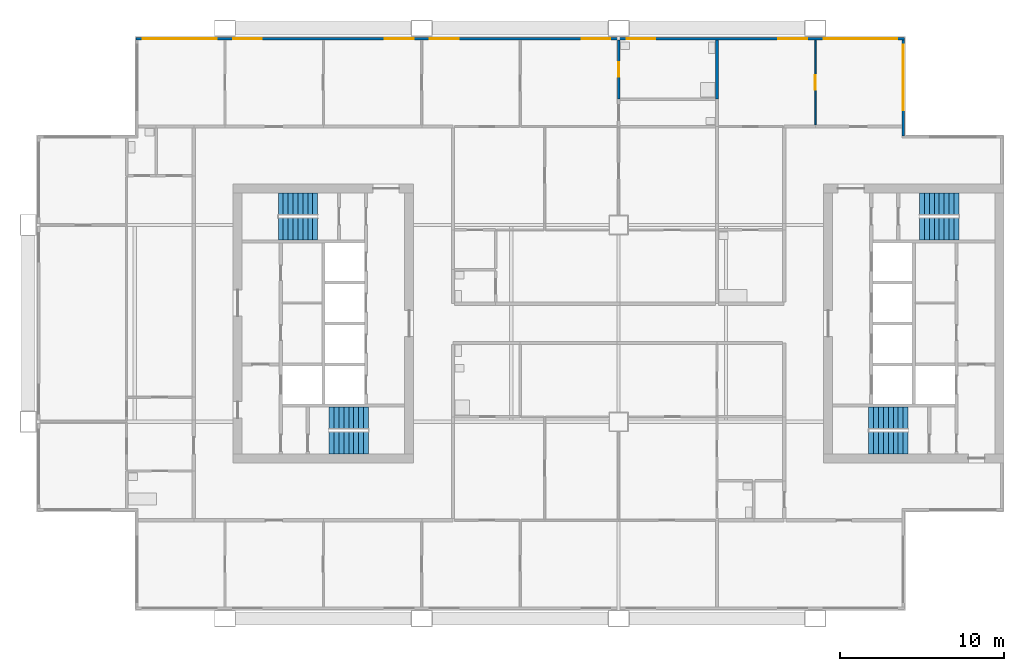
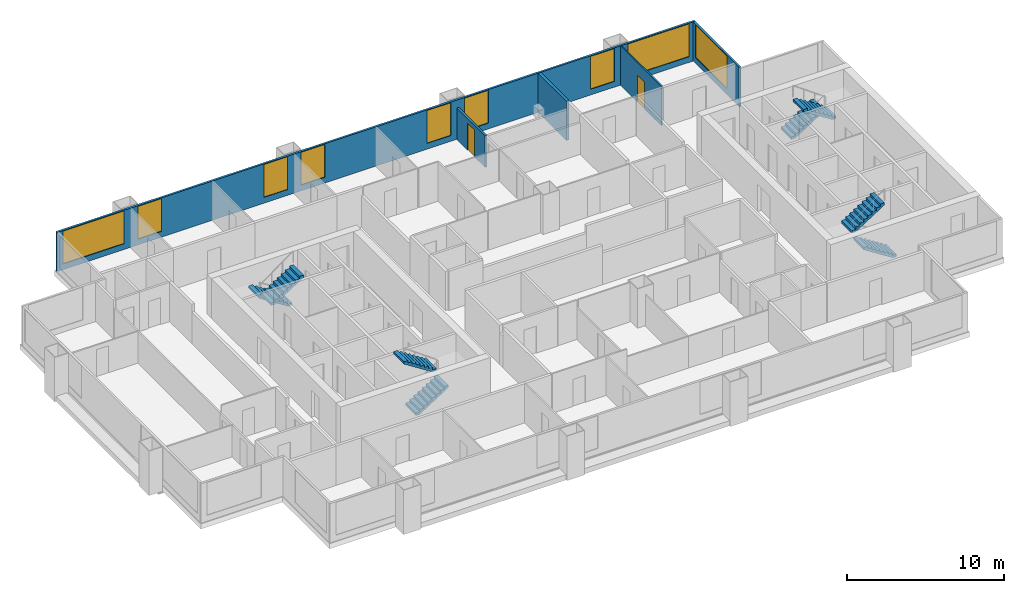
# One storey, part 7 of 9: 9 windows, 8 stair flights, 5 walls, 2 doors, 11 openings, 4 elements without a shape of their own.
"""IFC4 building model written with IfcOpenShell, lengths in metres."""

import ifcopenshell
import ifcopenshell.guid

model = None  # the IFC model being written
_history = None  # IfcOwnerHistory: only IFC2X3 demands one
_inside = {}  # id of a spatial element -> (the spatial element, [elements in it])
_under = {}  # id of a project, library or spatial element -> (it, [spatial elements below it])
_declared = {}  # id of a project -> (the project, [libraries it declares])
_typed = {}  # id of a type object -> (the type object, [elements of that type])
_made_of = {}  # id of a material, layer set ... -> (it, [elements and type objects made of it])


def new_model(schema):
    """Start an empty IFC model of exactly this schema.

    Asked for "IFC4X3", IfcOpenShell would pick the latest addendum, in which some entities
    have other attributes; the version numbers below select the first issue.
    IFC2X3 requires an IfcOwnerHistory on every rooted entity: one is made here for all.
    """
    global model, _history
    if schema == "IFC4X3":
        model = ifcopenshell.file(schema_version=(4, 3, 0, 0))
    else:
        model = ifcopenshell.file(schema=schema)
    _inside.clear()
    _under.clear()
    _declared.clear()
    _typed.clear()
    _made_of.clear()
    _history = None
    if model.schema == "IFC2X3":
        org = make("IfcOrganization", Name="unknown")
        user = make(
            "IfcPersonAndOrganization",
            ThePerson=make("IfcPerson", FamilyName="unknown"),
            TheOrganization=org,
        )
        app = make(
            "IfcApplication",
            ApplicationDeveloper=org,
            Version="unknown",
            ApplicationFullName="unknown",
            ApplicationIdentifier="unknown",
        )
        _history = make(
            "IfcOwnerHistory",
            OwningUser=user,
            OwningApplication=app,
            ChangeAction="ADDED",
            CreationDate=0,
        )
    return model


def make(cls, **values):
    """One entity of the class cls with the attributes given. An attribute that is None is left unset."""
    return model.create_entity(
        cls, **{name: value for name, value in values.items() if value is not None}
    )


def rooted(cls, **values):
    """An entity with a GlobalId (a new one), such as an element, a storey or a relation."""
    return make(cls, GlobalId=ifcopenshell.guid.new(), OwnerHistory=_history, **values)


def si_unit(unit_type, name, prefix=None):
    """IfcSIUnit, for example si_unit("LENGTHUNIT", "METRE", prefix="MILLI")."""
    return make("IfcSIUnit", UnitType=unit_type, Prefix=prefix, Name=name)


def assignment(units):
    """IfcUnitAssignment: the units of a project."""
    return None if units is None else make("IfcUnitAssignment", Units=units)


def point(xyz):
    """IfcCartesianPoint."""
    return None if xyz is None else make("IfcCartesianPoint", Coordinates=xyz)


def direction(xyz):
    """IfcDirection."""
    return None if xyz is None else make("IfcDirection", DirectionRatios=xyz)


def frame(location, z_axis=None, x_axis=None):
    """IfcAxis2Placement3D, a coordinate frame: its origin and axes. An axis left out is left unset."""
    return make(
        "IfcAxis2Placement3D",
        Location=point(location),
        Axis=direction(z_axis),
        RefDirection=direction(x_axis),
    )


def frame_2d(location, x_axis=None):
    """IfcAxis2Placement2D, a coordinate frame in the plane: its origin and x axis."""
    return make(
        "IfcAxis2Placement2D", Location=point(location), RefDirection=direction(x_axis)
    )


def origin():
    """The frame at (0, 0, 0) with its axes left unset."""
    return frame((0.0, 0.0, 0.0))


def place(relative_to, where):
    """IfcLocalPlacement: puts the frame where relative to a parent placement (None: the world)."""
    return make(
        "IfcLocalPlacement", PlacementRelTo=relative_to, RelativePlacement=where
    )


def context(
    kind, dimensions, precision=None, world=None, true_north=None, identifier=None
):
    """IfcGeometricRepresentationContext, for example the 3D "Model" context."""
    return make(
        "IfcGeometricRepresentationContext",
        ContextIdentifier=identifier,
        ContextType=kind,
        CoordinateSpaceDimension=dimensions,
        Precision=precision,
        WorldCoordinateSystem=world,
        TrueNorth=true_north,
    )


def subcontext(parent, identifier, kind, view, scale=None):
    """IfcGeometricRepresentationSubContext, for example "Body" below "Model"."""
    return make(
        "IfcGeometricRepresentationSubContext",
        ContextIdentifier=identifier,
        ContextType=kind,
        ParentContext=parent,
        TargetScale=scale,
        TargetView=view,
    )


def project(units=None, contexts=None):
    """IfcProject with its units and contexts."""
    return rooted(
        "IfcProject",
        Name="project",
        RepresentationContexts=contexts,
        UnitsInContext=assignment(units),
    )


def spatial(cls, under=None, at=None, **own):
    """A site, building, storey or space (cls), placed at a placement, below another one or the project."""
    s = rooted(cls, ObjectPlacement=at, **own)
    if under is not None:
        _under.setdefault(under.id(), (under, []))[1].append(s)
    return s


def polyline(points):
    """IfcPolyline through the points."""
    return make("IfcPolyline", Points=[point(p) for p in points])


def profile(cls, at=None, kind="AREA", **sizes):
    """A parametric profile (cls). Its sizes go by their IFC names, for example OverallWidth=200.0."""
    return make(cls, ProfileType=kind, Position=at, **sizes)


def rectangle(**sizes):
    """IfcRectangleProfileDef."""
    return profile("IfcRectangleProfileDef", **sizes)


def outline(outer, holes=None, kind="AREA"):
    """IfcArbitraryClosedProfileDef: a profile drawn as a closed curve; with holes, ...WithVoids."""
    if holes is None:
        return make("IfcArbitraryClosedProfileDef", ProfileType=kind, OuterCurve=outer)
    return make(
        "IfcArbitraryProfileDefWithVoids",
        ProfileType=kind,
        OuterCurve=outer,
        InnerCurves=holes,
    )


def extrude(swept, where, along, depth):
    """IfcExtrudedAreaSolid: the profile swept, set in the frame where, extruded along a direction by depth."""
    return make(
        "IfcExtrudedAreaSolid",
        SweptArea=swept,
        Position=where,
        ExtrudedDirection=direction(along),
        Depth=depth,
    )


def shape(context_of_items, identifier, shape_type, items):
    """IfcShapeRepresentation: the items that make up one representation, for example the "Body"."""
    return make(
        "IfcShapeRepresentation",
        ContextOfItems=context_of_items,
        RepresentationIdentifier=identifier,
        RepresentationType=shape_type,
        Items=items,
    )


def material(Name=None, Category=None):
    """IfcMaterial."""
    return make("IfcMaterial", Name=Name, Category=Category)


def layer(
    of_material, thickness, ventilated=None, Name=None, Category=None, Priority=None
):
    """IfcMaterialLayer: one layer of a wall or slab, of a material (None: an air gap)."""
    return make(
        "IfcMaterialLayer",
        Material=of_material,
        LayerThickness=thickness,
        IsVentilated=ventilated,
        Name=Name,
        Category=Category,
        Priority=Priority,
    )


def layer_set(layers, Name=None):
    """IfcMaterialLayerSet."""
    return make("IfcMaterialLayerSet", MaterialLayers=layers, LayerSetName=Name)


def made_of(thing, what):
    """Note that an element or type object is made of a material, layer set ...; save() writes the relation."""
    if what is not None:
        _made_of.setdefault(what.id(), (what, []))[1].append(thing)
    return thing


def type_object(cls, material=None, **own):
    """A type object (cls), such as IfcWallType, which elements share."""
    return made_of(rooted(cls, **own), material)


def element(
    cls,
    number,
    at=None,
    inside=None,
    cuts=None,
    type_object=None,
    material=None,
    context=None,
    identifier="Body",
    shape_type=None,
    held_by="IfcProductDefinitionShape",
    body=None,
    shapes=None,
    **own,
):
    """One element of the class cls, such as IfcWall. Its Tag is "e" and its number.

    at: its placement. inside: the storey or other place that contains it. cuts: it is an
    opening in that element (IfcRelVoidsElement). A single representation is given by context,
    identifier, shape_type and body (its items); several are given by shapes. held_by: the class
    of the entity that holds the representations. save() writes the other relations.
    """
    e = rooted(cls, Tag="e%d" % number, ObjectPlacement=at, **own)
    if body is not None:
        shapes = [shape(context, identifier, shape_type, body)]
    if shapes is not None:
        e.Representation = make(held_by, Representations=shapes)
    if inside is not None:
        _inside.setdefault(inside.id(), (inside, []))[1].append(e)
    if cuts is not None:
        rooted(
            "IfcRelVoidsElement", RelatingBuildingElement=cuts, RelatedOpeningElement=e
        )
    if type_object is not None:
        _typed.setdefault(type_object.id(), (type_object, []))[1].append(e)
    return made_of(e, material)


def fill(opening, filler):
    """IfcRelFillsElement: the door or window that sits in an opening."""
    return rooted(
        "IfcRelFillsElement",
        RelatingOpeningElement=opening,
        RelatedBuildingElement=filler,
    )


def aggregate(whole, parts):
    """IfcRelAggregates: a whole, such as a stair, and the parts it consists of."""
    return rooted("IfcRelAggregates", RelatingObject=whole, RelatedObjects=parts)


def save(model, path):
    """Write the relations noted so far, then the file.

    IfcRelAggregates (storeys below a building ...), IfcRelContainedInSpatialStructure (elements
    in a storey), IfcRelDefinesByType, IfcRelAssociatesMaterial and IfcRelDeclares: one each for
    every whole, place, type object, material and project.
    """
    for whole, parts in _under.values():
        aggregate(whole, parts)
    for where, things in _inside.values():
        rooted(
            "IfcRelContainedInSpatialStructure",
            RelatedElements=things,
            RelatingStructure=where,
        )
    for kind, things in _typed.values():
        rooted("IfcRelDefinesByType", RelatedObjects=things, RelatingType=kind)
    for what, things in _made_of.values():
        rooted("IfcRelAssociatesMaterial", RelatedObjects=things, RelatingMaterial=what)
    for by, libraries in _declared.values():
        rooted("IfcRelDeclares", RelatingContext=by, RelatedDefinitions=libraries)
    model.write(path)


model = new_model("IFC4")

# Units and contexts
model_context = context("Model", 3, precision=1e-05, world=origin(), true_north=direction((0.0, 1.0)))
body_context = subcontext(model_context, "Body", "Model", "MODEL_VIEW")
ifc_project = project(units=[si_unit("LENGTHUNIT", "METRE"), si_unit("AREAUNIT", "SQUARE_METRE"), si_unit("VOLUMEUNIT", "CUBIC_METRE"), si_unit("PLANEANGLEUNIT", "RADIAN"), si_unit("MASSUNIT", "GRAM", prefix="KILO")], contexts=[model_context])

# Site, building, storey
site_placement = place(None, origin())
site = spatial("IfcSite", under=ifc_project, at=site_placement, CompositionType="ELEMENT")
building_placement = place(site_placement, origin())
building = spatial("IfcBuilding", under=site, at=building_placement, Name="Kitamizu Gate Tower and Museum", CompositionType="ELEMENT")
storey_placement = place(building_placement, frame((0.0, 0.0, 178.949951171875)))
storey = spatial("IfcBuildingStorey", under=building, at=storey_placement, Name="L47", CompositionType="ELEMENT", Elevation=178.949951171875)

# Wall, opening, door
ifc_material_1 = material(Name="Gypsum board on galvanised stud")
ifc_layer_1 = layer(ifc_material_1, 0.10009765625)
ifc_layer_set_1 = layer_set([ifc_layer_1], Name="Gypsum board on galvanised stud")
wall_type_1 = type_object("IfcWallType", Name="Partition 100 NOT RATED", PredefinedType="PARTITIONING", material=ifc_layer_set_1)
wall_1_placement = place(storey_placement, frame((48.0, 42.10009765625, 0.0), z_axis=(0.0, 0.0, 1.0), x_axis=(0.0, 1.0, 0.0)))
wall_1 = element("IfcWall", 1, at=wall_1_placement, inside=storey, type_object=wall_type_1, Name="Partition L47-098", PredefinedType="PARTITIONING", context=body_context, shape_type="SweptSolid", body=[
    extrude(rectangle(XDim=5.179931640625, YDim=0.10009765625, at=frame_2d((2.58984375, 0.0))), origin(), (0.0, 0.0, 1.0), 3.050048828125),
])
opening_1_placement = place(wall_1_placement, frame((2.139892578125, 0.0, 0.0)))
opening_1 = element("IfcOpeningElement", 2, at=opening_1_placement, cuts=wall_1, Name="Opening L47-037", PredefinedType="OPENING", context=body_context, shape_type="SweptSolid", body=[
    extrude(rectangle(XDim=0.89990234375, YDim=2.10009765625, at=frame_2d((0.449951171875, 1.050048828125))), frame((0.0, 0.06005859375, 0.0), z_axis=(0.0, -1.0, 0.0), x_axis=(1.0, 0.0, 0.0)), (0.0, 0.0, 1.0), 0.1201171875),
])
ifc_material_2 = material(Name="Timber door set", Category="wood")
door_type_1 = type_object("IfcDoorType", Name="Room door 900", OperationType="NOTDEFINED", PredefinedType="DOOR", material=ifc_material_2)
door_1_placement = place(opening_1_placement, origin())
door_1 = element("IfcDoor", 3, at=door_1_placement, inside=storey, type_object=door_type_1, Name="Door L47-037", OperationType="SINGLE_SWING_LEFT", OverallHeight=2.10009765625, OverallWidth=0.89990234375, PredefinedType="DOOR", context=body_context, shape_type="SweptSolid", body=[
    extrude(rectangle(XDim=0.89990234375, YDim=2.10009765625, at=frame_2d((0.449951171875, 1.050048828125))), frame((0.0, 0.02490234375, 0.0), z_axis=(0.0, -1.0, 0.0), x_axis=(1.0, 0.0, 0.0)), (0.0, 0.0, 1.0), 0.050048828125),
])
fill(opening_1, door_1)

ifc_material_3 = material(Name="Gypsum board on galvanised stud")
ifc_layer_2 = layer(ifc_material_3, 0.14990234375)
ifc_layer_set_2 = layer_set([ifc_layer_2], Name="Gypsum board on galvanised stud")
wall_type_2 = type_object("IfcWallType", Name="Partition 150", PredefinedType="PARTITIONING", material=ifc_layer_set_2)
wall_2_placement = place(storey_placement, frame((36.0, 43.679931640625, 0.0), z_axis=(0.0, 0.0, 1.0), x_axis=(0.0, 1.0, 0.0)))
wall_2 = element("IfcWall", 4, at=wall_2_placement, inside=storey, type_object=wall_type_2, Name="Partition L47-052", PredefinedType="PARTITIONING", context=body_context, shape_type="SweptSolid", body=[
    extrude(rectangle(XDim=3.60009765625, YDim=0.14990234375, at=frame_2d((1.800048828125, 0.0))), origin(), (0.0, 0.0, 1.0), 2.449951171875),
])
opening_2_placement = place(wall_2_placement, frame((1.35009765625, 0.0, 0.0)))
opening_2 = element("IfcOpeningElement", 5, at=opening_2_placement, cuts=wall_2, Name="Opening L47-020", PredefinedType="OPENING", context=body_context, shape_type="SweptSolid", body=[
    extrude(rectangle(XDim=0.89990234375, YDim=2.10009765625, at=frame_2d((0.449951171875, 1.050048828125))), frame((0.0, 0.0849609375, 0.0), z_axis=(0.0, -1.0, 0.0), x_axis=(1.0, 0.0, 0.0)), (0.0, 0.0, 1.0), 0.169921875),
])
ifc_material_4 = material(Name="Timber door set", Category="wood")
door_type_2 = type_object("IfcDoorType", Name="Bathroom door 900", OperationType="NOTDEFINED", PredefinedType="DOOR", material=ifc_material_4)
door_2_placement = place(opening_2_placement, frame((0.89990234375, 0.0, 0.0), x_axis=(-1.0, 0.0, 0.0)))
door_2 = element("IfcDoor", 6, at=door_2_placement, inside=storey, type_object=door_type_2, Name="Bathroom door L47-020", OperationType="SINGLE_SWING_RIGHT", OverallHeight=2.10009765625, OverallWidth=0.89990234375, PredefinedType="DOOR", context=body_context, shape_type="SweptSolid", body=[
    extrude(rectangle(XDim=0.89990234375, YDim=2.10009765625, at=frame_2d((0.449951171875, 1.050048828125))), frame((0.0, 0.02490234375, 0.0), z_axis=(0.0, -1.0, 0.0), x_axis=(1.0, 0.0, 0.0)), (0.0, 0.0, 1.0), 0.050048828125),
])
fill(opening_2, door_2)

# Wall
ifc_material_5 = material(Name="Gypsum board on galvanised stud")
ifc_layer_3 = layer(ifc_material_5, 0.199951171875)
ifc_layer_set_3 = layer_set([ifc_layer_3], Name="Gypsum board on galvanised stud")
wall_type_3 = type_object("IfcWallType", Name="Partition 200", PredefinedType="PARTITIONING", material=ifc_layer_set_3)
wall_3_placement = place(storey_placement, frame((42.0, 43.679931640625, 0.0), z_axis=(0.0, 0.0, 1.0), x_axis=(0.0, 1.0, 0.0)))
element("IfcWall", 7, at=wall_3_placement, inside=storey, type_object=wall_type_3, Name="Partition L47-057", PredefinedType="PARTITIONING", context=body_context, shape_type="SweptSolid", body=[
    extrude(rectangle(XDim=3.60009765625, YDim=0.199951171875, at=frame_2d((1.800048828125, 0.0))), origin(), (0.0, 0.0, 1.0), 3.050048828125),
])

# Wall, opening, window
ifc_material_6 = material(Name="Bronze anodised aluminium frame with insulated spandrel and tinted glass", Category="aluminium")
ifc_layer_4 = layer(ifc_material_6, 0.14990234375)
ifc_layer_set_4 = layer_set([ifc_layer_4], Name="Bronze anodised aluminium frame with insulated spandrel and tinted glass")
wall_type_4 = type_object("IfcWallType", Name="WINDOW WALL 150 BRONZE FRAME EI 30", PredefinedType="ELEMENTEDWALL", material=ifc_layer_set_4)
wall_4_placement = place(storey_placement, frame((53.364990234375, 41.43994140625, 0.0), z_axis=(0.0, 0.0, 1.0), x_axis=(0.0, 1.0, 0.0)))
wall_4 = element("IfcWall", 8, at=wall_4_placement, inside=storey, type_object=wall_type_4, Name="Window wall east L47", PredefinedType="ELEMENTEDWALL", context=body_context, shape_type="SweptSolid", body=[
    extrude(rectangle(XDim=5.85009765625, YDim=0.14990234375, at=frame_2d((2.925048828125, 0.0))), origin(), (0.0, 0.0, 1.0), 3.050048828125),
])
opening_3_placement = place(wall_4_placement, frame((1.56005859375, 0.0, 0.449951171875)))
opening_3 = element("IfcOpeningElement", 9, at=opening_3_placement, cuts=wall_4, Name="Opening W16", PredefinedType="OPENING", context=body_context, shape_type="SweptSolid", body=[
    extrude(rectangle(XDim=4.0, YDim=2.550048828125, at=frame_2d((2.0, 1.27490234375))), frame((0.0, 0.0849609375, 0.0), z_axis=(0.0, -1.0, 0.0), x_axis=(1.0, 0.0, 0.0)), (0.0, 0.0, 1.0), 0.169921875),
])
ifc_material_7 = material(Name="Bronze anodised aluminium frame, tinted triple glazing", Category="aluminium")
window_type_1 = type_object("IfcWindowType", Name="WINDOW 4000 x 2550 SILL 450", PartitioningType="SINGLE_PANEL", PredefinedType="WINDOW", material=ifc_material_7)
window_1_placement = place(opening_3_placement, origin())
window_1 = element("IfcWindow", 10, at=window_1_placement, inside=storey, type_object=window_type_1, Name="Window W16 L47", OverallHeight=2.550048828125, OverallWidth=4.0, PartitioningType="SINGLE_PANEL", PredefinedType="WINDOW", context=body_context, shape_type="SweptSolid", body=[
    extrude(rectangle(XDim=4.0, YDim=2.550048828125, at=frame_2d((2.0, 1.27490234375))), frame((0.0, 0.030029296875, 0.0), z_axis=(0.0, -1.0, 0.0), x_axis=(1.0, 0.0, 0.0)), (0.0, 0.0, 1.0), 0.06005859375),
])
fill(opening_3, window_1)

# Wall, openings, windows
wall_5_placement = place(storey_placement, frame((6.56005859375, 47.364990234375, 0.0), z_axis=(0.0, 0.0, 1.0), x_axis=(1.0, 0.0, 0.0)))
wall_5 = element("IfcWall", 11, at=wall_5_placement, inside=storey, type_object=wall_type_4, Name="Window wall north L47", PredefinedType="ELEMENTEDWALL", context=body_context, shape_type="SweptSolid", body=[
    extrude(rectangle(XDim=46.8798828125, YDim=0.14990234375, at=frame_2d((23.43994140625, 0.0))), origin(), (0.0, 0.0, 1.0), 3.050048828125),
])
opening_4_placement = place(wall_5_placement, frame((0.43994140625, 0.0, 0.449951171875)))
opening_4 = element("IfcOpeningElement", 12, at=opening_4_placement, cuts=wall_5, Name="Opening W15", PredefinedType="OPENING", context=body_context, shape_type="SweptSolid", body=[
    extrude(rectangle(XDim=4.5, YDim=2.550048828125, at=frame_2d((2.25, 1.27490234375))), frame((0.0, 0.0849609375, 0.0), z_axis=(0.0, -1.0, 0.0), x_axis=(1.0, 0.0, 0.0)), (0.0, 0.0, 1.0), 0.169921875),
])
opening_5_placement = place(wall_5_placement, frame((5.93994140625, 0.0, 0.449951171875)))
opening_5 = element("IfcOpeningElement", 13, at=opening_5_placement, cuts=wall_5, Name="Opening W29", PredefinedType="OPENING", context=body_context, shape_type="SweptSolid", body=[
    extrude(rectangle(XDim=1.75, YDim=2.550048828125, at=frame_2d((0.875, 1.27490234375))), frame((0.0, 0.0849609375, 0.0), z_axis=(0.0, -1.0, 0.0), x_axis=(1.0, 0.0, 0.0)), (0.0, 0.0, 1.0), 0.169921875),
])
opening_6_placement = place(wall_5_placement, frame((15.18994140625, 0.0, 0.449951171875)))
opening_6 = element("IfcOpeningElement", 14, at=opening_6_placement, cuts=wall_5, Name="Opening W29", PredefinedType="OPENING", context=body_context, shape_type="SweptSolid", body=[
    extrude(rectangle(XDim=1.75, YDim=2.550048828125, at=frame_2d((0.875, 1.27490234375))), frame((0.0, 0.0849609375, 0.0), z_axis=(0.0, -1.0, 0.0), x_axis=(1.0, 0.0, 0.0)), (0.0, 0.0, 1.0), 0.169921875),
])
opening_7_placement = place(wall_5_placement, frame((17.93994140625, 0.0, 0.449951171875)))
opening_7 = element("IfcOpeningElement", 15, at=opening_7_placement, cuts=wall_5, Name="Opening W29", PredefinedType="OPENING", context=body_context, shape_type="SweptSolid", body=[
    extrude(rectangle(XDim=1.75, YDim=2.550048828125, at=frame_2d((0.875, 1.27490234375))), frame((0.0, 0.0849609375, 0.0), z_axis=(0.0, -1.0, 0.0), x_axis=(1.0, 0.0, 0.0)), (0.0, 0.0, 1.0), 0.169921875),
])
opening_8_placement = place(wall_5_placement, frame((27.18994140625, 0.0, 0.449951171875)))
opening_8 = element("IfcOpeningElement", 16, at=opening_8_placement, cuts=wall_5, Name="Opening W29", PredefinedType="OPENING", context=body_context, shape_type="SweptSolid", body=[
    extrude(rectangle(XDim=1.75, YDim=2.550048828125, at=frame_2d((0.875, 1.27490234375))), frame((0.0, 0.0849609375, 0.0), z_axis=(0.0, -1.0, 0.0), x_axis=(1.0, 0.0, 0.0)), (0.0, 0.0, 1.0), 0.169921875),
])
opening_9_placement = place(wall_5_placement, frame((29.93994140625, 0.0, 0.449951171875)))
opening_9 = element("IfcOpeningElement", 17, at=opening_9_placement, cuts=wall_5, Name="Opening W29", PredefinedType="OPENING", context=body_context, shape_type="SweptSolid", body=[
    extrude(rectangle(XDim=1.75, YDim=2.550048828125, at=frame_2d((0.875, 1.27490234375))), frame((0.0, 0.0849609375, 0.0), z_axis=(0.0, -1.0, 0.0), x_axis=(1.0, 0.0, 0.0)), (0.0, 0.0, 1.0), 0.169921875),
])
opening_10_placement = place(wall_5_placement, frame((39.18994140625, 0.0, 0.449951171875)))
opening_10 = element("IfcOpeningElement", 18, at=opening_10_placement, cuts=wall_5, Name="Opening W29", PredefinedType="OPENING", context=body_context, shape_type="SweptSolid", body=[
    extrude(rectangle(XDim=1.75, YDim=2.550048828125, at=frame_2d((0.875, 1.27490234375))), frame((0.0, 0.0849609375, 0.0), z_axis=(0.0, -1.0, 0.0), x_axis=(1.0, 0.0, 0.0)), (0.0, 0.0, 1.0), 0.169921875),
])
opening_11_placement = place(wall_5_placement, frame((41.93994140625, 0.0, 0.449951171875)))
opening_11 = element("IfcOpeningElement", 19, at=opening_11_placement, cuts=wall_5, Name="Opening W15", PredefinedType="OPENING", context=body_context, shape_type="SweptSolid", body=[
    extrude(rectangle(XDim=4.5, YDim=2.550048828125, at=frame_2d((2.25, 1.27490234375))), frame((0.0, 0.0849609375, 0.0), z_axis=(0.0, -1.0, 0.0), x_axis=(1.0, 0.0, 0.0)), (0.0, 0.0, 1.0), 0.169921875),
])
ifc_material_8 = material(Name="Bronze anodised aluminium frame, tinted triple glazing", Category="aluminium")
window_type_2 = type_object("IfcWindowType", Name="WINDOW 1750 x 2550 SILL 450", PartitioningType="SINGLE_PANEL", PredefinedType="WINDOW", material=ifc_material_8)
window_2_placement = place(opening_5_placement, origin())
window_2 = element("IfcWindow", 20, at=window_2_placement, inside=storey, type_object=window_type_2, Name="Window W29 L47", OverallHeight=2.550048828125, OverallWidth=1.75, PartitioningType="SINGLE_PANEL", PredefinedType="WINDOW", context=body_context, shape_type="SweptSolid", body=[
    extrude(rectangle(XDim=1.75, YDim=2.550048828125, at=frame_2d((0.875, 1.27490234375))), frame((0.0, 0.030029296875, 0.0), z_axis=(0.0, -1.0, 0.0), x_axis=(1.0, 0.0, 0.0)), (0.0, 0.0, 1.0), 0.06005859375),
])
fill(opening_5, window_2)
window_3_placement = place(opening_6_placement, origin())
window_3 = element("IfcWindow", 21, at=window_3_placement, inside=storey, type_object=window_type_2, Name="Window W29 L47", OverallHeight=2.550048828125, OverallWidth=1.75, PartitioningType="SINGLE_PANEL", PredefinedType="WINDOW", context=body_context, shape_type="SweptSolid", body=[
    extrude(rectangle(XDim=1.75, YDim=2.550048828125, at=frame_2d((0.875, 1.27490234375))), frame((0.0, 0.030029296875, 0.0), z_axis=(0.0, -1.0, 0.0), x_axis=(1.0, 0.0, 0.0)), (0.0, 0.0, 1.0), 0.06005859375),
])
fill(opening_6, window_3)
window_4_placement = place(opening_7_placement, origin())
window_4 = element("IfcWindow", 22, at=window_4_placement, inside=storey, type_object=window_type_2, Name="Window W29 L47", OverallHeight=2.550048828125, OverallWidth=1.75, PartitioningType="SINGLE_PANEL", PredefinedType="WINDOW", context=body_context, shape_type="SweptSolid", body=[
    extrude(rectangle(XDim=1.75, YDim=2.550048828125, at=frame_2d((0.875, 1.27490234375))), frame((0.0, 0.030029296875, 0.0), z_axis=(0.0, -1.0, 0.0), x_axis=(1.0, 0.0, 0.0)), (0.0, 0.0, 1.0), 0.06005859375),
])
fill(opening_7, window_4)
window_5_placement = place(opening_8_placement, origin())
window_5 = element("IfcWindow", 23, at=window_5_placement, inside=storey, type_object=window_type_2, Name="Window W29 L47", OverallHeight=2.550048828125, OverallWidth=1.75, PartitioningType="SINGLE_PANEL", PredefinedType="WINDOW", context=body_context, shape_type="SweptSolid", body=[
    extrude(rectangle(XDim=1.75, YDim=2.550048828125, at=frame_2d((0.875, 1.27490234375))), frame((0.0, 0.030029296875, 0.0), z_axis=(0.0, -1.0, 0.0), x_axis=(1.0, 0.0, 0.0)), (0.0, 0.0, 1.0), 0.06005859375),
])
fill(opening_8, window_5)
window_6_placement = place(opening_9_placement, origin())
window_6 = element("IfcWindow", 24, at=window_6_placement, inside=storey, type_object=window_type_2, Name="Window W29 L47", OverallHeight=2.550048828125, OverallWidth=1.75, PartitioningType="SINGLE_PANEL", PredefinedType="WINDOW", context=body_context, shape_type="SweptSolid", body=[
    extrude(rectangle(XDim=1.75, YDim=2.550048828125, at=frame_2d((0.875, 1.27490234375))), frame((0.0, 0.030029296875, 0.0), z_axis=(0.0, -1.0, 0.0), x_axis=(1.0, 0.0, 0.0)), (0.0, 0.0, 1.0), 0.06005859375),
])
fill(opening_9, window_6)
window_7_placement = place(opening_10_placement, origin())
window_7 = element("IfcWindow", 25, at=window_7_placement, inside=storey, type_object=window_type_2, Name="Window W29 L47", OverallHeight=2.550048828125, OverallWidth=1.75, PartitioningType="SINGLE_PANEL", PredefinedType="WINDOW", context=body_context, shape_type="SweptSolid", body=[
    extrude(rectangle(XDim=1.75, YDim=2.550048828125, at=frame_2d((0.875, 1.27490234375))), frame((0.0, 0.030029296875, 0.0), z_axis=(0.0, -1.0, 0.0), x_axis=(1.0, 0.0, 0.0)), (0.0, 0.0, 1.0), 0.06005859375),
])
fill(opening_10, window_7)
ifc_material_9 = material(Name="Bronze anodised aluminium frame, tinted triple glazing", Category="aluminium")
window_type_3 = type_object("IfcWindowType", Name="WINDOW 4500 x 2550 SILL 450", PartitioningType="SINGLE_PANEL", PredefinedType="WINDOW", material=ifc_material_9)
window_8_placement = place(opening_4_placement, origin())
window_8 = element("IfcWindow", 26, at=window_8_placement, inside=storey, type_object=window_type_3, Name="Window W15 L47", OverallHeight=2.550048828125, OverallWidth=4.5, PartitioningType="SINGLE_PANEL", PredefinedType="WINDOW", context=body_context, shape_type="SweptSolid", body=[
    extrude(rectangle(XDim=4.5, YDim=2.550048828125, at=frame_2d((2.25, 1.27490234375))), frame((0.0, 0.030029296875, 0.0), z_axis=(0.0, -1.0, 0.0), x_axis=(1.0, 0.0, 0.0)), (0.0, 0.0, 1.0), 0.06005859375),
])
fill(opening_4, window_8)
window_9_placement = place(opening_11_placement, origin())
window_9 = element("IfcWindow", 27, at=window_9_placement, inside=storey, type_object=window_type_3, Name="Window W15 L47", OverallHeight=2.550048828125, OverallWidth=4.5, PartitioningType="SINGLE_PANEL", PredefinedType="WINDOW", context=body_context, shape_type="SweptSolid", body=[
    extrude(rectangle(XDim=4.5, YDim=2.550048828125, at=frame_2d((2.25, 1.27490234375))), frame((0.0, 0.030029296875, 0.0), z_axis=(0.0, -1.0, 0.0), x_axis=(1.0, 0.0, 0.0)), (0.0, 0.0, 1.0), 0.06005859375),
])
fill(opening_11, window_9)

# Stair, stair flights
ifc_material_10 = material(Name="Concrete Fc42", Category="concrete")
stair_type = type_object("IfcStairType", Name="Exit stair 1325 wide 192 rise 300 going", PredefinedType="HALF_TURN_STAIR", material=ifc_material_10)
stair_1_placement = place(storey_placement, origin())
stair_1 = element("IfcStair", 28, at=stair_1_placement, inside=storey, type_object=stair_type, Name="Exit stair ST1", PredefinedType="HALF_TURN_STAIR")
ifc_material_11 = material(Name="Concrete Fc42", Category="concrete")
stair_flight_type = type_object("IfcStairFlightType", Name="Stair flight 1325 wide 192 rise 300 going", PredefinedType="STRAIGHT", material=ifc_material_11)
stair_flight_1_placement = place(storey_placement, frame((18.35009765625, 22.71240234375, 0.0), z_axis=(0.0, 0.0, 1.0), x_axis=(1.0, 0.0, 0.0)))
stair_flight_1 = element("IfcStairFlight", 29, at=stair_flight_1_placement, type_object=stair_flight_type, Name="ST1 flight 1", NumberOfRisers=9, NumberOfTreads=8, PredefinedType="STRAIGHT", RiserHeight=0.191666667, TreadLength=0.3, context=body_context, shape_type="SweptSolid", body=[
    extrude(outline(polyline([(0.0, 0.0), (0.0, 0.191650390625), (0.300048828125, 0.191650390625), (0.300048828125, 0.38330078125), (0.60009765625, 0.38330078125), (0.60009765625, 0.574951171875), (0.89990234375, 0.574951171875), (0.89990234375, 0.7666015625), (1.199951171875, 0.7666015625), (1.199951171875, 0.958251953125), (1.5, 0.958251953125), (1.5, 1.14990234375), (1.800048828125, 1.14990234375), (1.800048828125, 1.341552734375), (2.10009765625, 1.341552734375), (2.10009765625, 1.533447265625), (2.39990234375, 1.533447265625), (2.39990234375, 1.72509765625), (2.39990234375, 1.35546875), (0.2783203125, 0.0), (0.0, 0.0)])), frame((0.0, 0.66259765625, 0.0), z_axis=(0.0, -1.0, 0.0), x_axis=(1.0, 0.0, 0.0)), (0.0, 0.0, 1.0), 1.324951171875),
])
stair_flight_2_placement = place(storey_placement, frame((20.75, 24.237548828125, 1.72509765625), z_axis=(0.0, 0.0, 1.0), x_axis=(-1.0, 0.0, 0.0)))
stair_flight_2 = element("IfcStairFlight", 30, at=stair_flight_2_placement, type_object=stair_flight_type, Name="ST1 flight 2", NumberOfRisers=9, NumberOfTreads=8, PredefinedType="STRAIGHT", RiserHeight=0.191666667, TreadLength=0.3, context=body_context, shape_type="SweptSolid", body=[
    extrude(outline(polyline([(0.0, 0.0), (0.0, 0.191650390625), (0.300048828125, 0.191650390625), (0.300048828125, 0.38330078125), (0.60009765625, 0.38330078125), (0.60009765625, 0.574951171875), (0.89990234375, 0.574951171875), (0.89990234375, 0.7666015625), (1.199951171875, 0.7666015625), (1.199951171875, 0.958251953125), (1.5, 0.958251953125), (1.5, 1.14990234375), (1.800048828125, 1.14990234375), (1.800048828125, 1.341552734375), (2.10009765625, 1.341552734375), (2.10009765625, 1.533447265625), (2.39990234375, 1.533447265625), (2.39990234375, 1.72509765625), (2.39990234375, 1.35546875), (0.2783203125, 0.0), (0.0, 0.0)])), frame((0.0, 0.66259765625, 0.0), z_axis=(0.0, -1.0, 0.0), x_axis=(1.0, 0.0, 0.0)), (0.0, 0.0, 1.0), 1.324951171875),
])
aggregate(stair_1, [stair_flight_1, stair_flight_2])

stair_2_placement = place(storey_placement, origin())
stair_2 = element("IfcStair", 31, at=stair_2_placement, inside=storey, type_object=stair_type, Name="Exit stair ST2", PredefinedType="HALF_TURN_STAIR")
stair_flight_3_placement = place(storey_placement, frame((17.64990234375, 37.28759765625, 0.0), z_axis=(0.0, 0.0, 1.0), x_axis=(-1.0, 0.0, 0.0)))
stair_flight_3 = element("IfcStairFlight", 32, at=stair_flight_3_placement, type_object=stair_flight_type, Name="ST2 flight 1", NumberOfRisers=9, NumberOfTreads=8, PredefinedType="STRAIGHT", RiserHeight=0.191666667, TreadLength=0.3, context=body_context, shape_type="SweptSolid", body=[
    extrude(outline(polyline([(0.0, 0.0), (0.0, 0.191650390625), (0.300048828125, 0.191650390625), (0.300048828125, 0.38330078125), (0.60009765625, 0.38330078125), (0.60009765625, 0.574951171875), (0.89990234375, 0.574951171875), (0.89990234375, 0.7666015625), (1.199951171875, 0.7666015625), (1.199951171875, 0.958251953125), (1.5, 0.958251953125), (1.5, 1.14990234375), (1.800048828125, 1.14990234375), (1.800048828125, 1.341552734375), (2.10009765625, 1.341552734375), (2.10009765625, 1.533447265625), (2.39990234375, 1.533447265625), (2.39990234375, 1.72509765625), (2.39990234375, 1.35546875), (0.2783203125, 0.0), (0.0, 0.0)])), frame((0.0, 0.66259765625, 0.0), z_axis=(0.0, -1.0, 0.0), x_axis=(1.0, 0.0, 0.0)), (0.0, 0.0, 1.0), 1.324951171875),
])
stair_flight_4_placement = place(storey_placement, frame((15.25, 35.762451171875, 1.72509765625), z_axis=(0.0, 0.0, 1.0), x_axis=(1.0, 0.0, 0.0)))
stair_flight_4 = element("IfcStairFlight", 33, at=stair_flight_4_placement, type_object=stair_flight_type, Name="ST2 flight 2", NumberOfRisers=9, NumberOfTreads=8, PredefinedType="STRAIGHT", RiserHeight=0.191666667, TreadLength=0.3, context=body_context, shape_type="SweptSolid", body=[
    extrude(outline(polyline([(0.0, 0.0), (0.0, 0.191650390625), (0.300048828125, 0.191650390625), (0.300048828125, 0.38330078125), (0.60009765625, 0.38330078125), (0.60009765625, 0.574951171875), (0.89990234375, 0.574951171875), (0.89990234375, 0.7666015625), (1.199951171875, 0.7666015625), (1.199951171875, 0.958251953125), (1.5, 0.958251953125), (1.5, 1.14990234375), (1.800048828125, 1.14990234375), (1.800048828125, 1.341552734375), (2.10009765625, 1.341552734375), (2.10009765625, 1.533447265625), (2.39990234375, 1.533447265625), (2.39990234375, 1.72509765625), (2.39990234375, 1.35546875), (0.2783203125, 0.0), (0.0, 0.0)])), frame((0.0, 0.66259765625, 0.0), z_axis=(0.0, -1.0, 0.0), x_axis=(1.0, 0.0, 0.0)), (0.0, 0.0, 1.0), 1.324951171875),
])
aggregate(stair_2, [stair_flight_3, stair_flight_4])

stair_3_placement = place(storey_placement, origin())
stair_3 = element("IfcStair", 34, at=stair_3_placement, inside=storey, type_object=stair_type, Name="Exit stair ST3", PredefinedType="HALF_TURN_STAIR")
stair_flight_5_placement = place(storey_placement, frame((53.64990234375, 22.71240234375, 0.0), z_axis=(0.0, 0.0, 1.0), x_axis=(-1.0, 0.0, 0.0)))
stair_flight_5 = element("IfcStairFlight", 35, at=stair_flight_5_placement, type_object=stair_flight_type, Name="ST3 flight 1", NumberOfRisers=9, NumberOfTreads=8, PredefinedType="STRAIGHT", RiserHeight=0.191666667, TreadLength=0.3, context=body_context, shape_type="SweptSolid", body=[
    extrude(outline(polyline([(0.0, 0.0), (0.0, 0.191650390625), (0.300048828125, 0.191650390625), (0.300048828125, 0.38330078125), (0.60009765625, 0.38330078125), (0.60009765625, 0.574951171875), (0.89990234375, 0.574951171875), (0.89990234375, 0.7666015625), (1.199951171875, 0.7666015625), (1.199951171875, 0.958251953125), (1.5, 0.958251953125), (1.5, 1.14990234375), (1.800048828125, 1.14990234375), (1.800048828125, 1.341552734375), (2.10009765625, 1.341552734375), (2.10009765625, 1.533447265625), (2.39990234375, 1.533447265625), (2.39990234375, 1.72509765625), (2.39990234375, 1.35546875), (0.2783203125, 0.0), (0.0, 0.0)])), frame((0.0, 0.66259765625, 0.0), z_axis=(0.0, -1.0, 0.0), x_axis=(1.0, 0.0, 0.0)), (0.0, 0.0, 1.0), 1.324951171875),
])
stair_flight_6_placement = place(storey_placement, frame((51.25, 24.237548828125, 1.72509765625), z_axis=(0.0, 0.0, 1.0), x_axis=(1.0, 0.0, 0.0)))
stair_flight_6 = element("IfcStairFlight", 36, at=stair_flight_6_placement, type_object=stair_flight_type, Name="ST3 flight 2", NumberOfRisers=9, NumberOfTreads=8, PredefinedType="STRAIGHT", RiserHeight=0.191666667, TreadLength=0.3, context=body_context, shape_type="SweptSolid", body=[
    extrude(outline(polyline([(0.0, 0.0), (0.0, 0.191650390625), (0.300048828125, 0.191650390625), (0.300048828125, 0.38330078125), (0.60009765625, 0.38330078125), (0.60009765625, 0.574951171875), (0.89990234375, 0.574951171875), (0.89990234375, 0.7666015625), (1.199951171875, 0.7666015625), (1.199951171875, 0.958251953125), (1.5, 0.958251953125), (1.5, 1.14990234375), (1.800048828125, 1.14990234375), (1.800048828125, 1.341552734375), (2.10009765625, 1.341552734375), (2.10009765625, 1.533447265625), (2.39990234375, 1.533447265625), (2.39990234375, 1.72509765625), (2.39990234375, 1.35546875), (0.2783203125, 0.0), (0.0, 0.0)])), frame((0.0, 0.66259765625, 0.0), z_axis=(0.0, -1.0, 0.0), x_axis=(1.0, 0.0, 0.0)), (0.0, 0.0, 1.0), 1.324951171875),
])
aggregate(stair_3, [stair_flight_5, stair_flight_6])

stair_4_placement = place(storey_placement, origin())
stair_4 = element("IfcStair", 37, at=stair_4_placement, inside=storey, type_object=stair_type, Name="Exit stair ST4", PredefinedType="HALF_TURN_STAIR")
stair_flight_7_placement = place(storey_placement, frame((54.35009765625, 37.28759765625, 0.0), z_axis=(0.0, 0.0, 1.0), x_axis=(1.0, 0.0, 0.0)))
stair_flight_7 = element("IfcStairFlight", 38, at=stair_flight_7_placement, type_object=stair_flight_type, Name="ST4 flight 1", NumberOfRisers=9, NumberOfTreads=8, PredefinedType="STRAIGHT", RiserHeight=0.191666667, TreadLength=0.3, context=body_context, shape_type="SweptSolid", body=[
    extrude(outline(polyline([(0.0, 0.0), (0.0, 0.191650390625), (0.300048828125, 0.191650390625), (0.300048828125, 0.38330078125), (0.60009765625, 0.38330078125), (0.60009765625, 0.574951171875), (0.89990234375, 0.574951171875), (0.89990234375, 0.7666015625), (1.199951171875, 0.7666015625), (1.199951171875, 0.958251953125), (1.5, 0.958251953125), (1.5, 1.14990234375), (1.800048828125, 1.14990234375), (1.800048828125, 1.341552734375), (2.10009765625, 1.341552734375), (2.10009765625, 1.533447265625), (2.39990234375, 1.533447265625), (2.39990234375, 1.72509765625), (2.39990234375, 1.35546875), (0.2783203125, 0.0), (0.0, 0.0)])), frame((0.0, 0.66259765625, 0.0), z_axis=(0.0, -1.0, 0.0), x_axis=(1.0, 0.0, 0.0)), (0.0, 0.0, 1.0), 1.324951171875),
])
stair_flight_8_placement = place(storey_placement, frame((56.75, 35.762451171875, 1.72509765625), z_axis=(0.0, 0.0, 1.0), x_axis=(-1.0, 0.0, 0.0)))
stair_flight_8 = element("IfcStairFlight", 39, at=stair_flight_8_placement, type_object=stair_flight_type, Name="ST4 flight 2", NumberOfRisers=9, NumberOfTreads=8, PredefinedType="STRAIGHT", RiserHeight=0.191666667, TreadLength=0.3, context=body_context, shape_type="SweptSolid", body=[
    extrude(outline(polyline([(0.0, 0.0), (0.0, 0.191650390625), (0.300048828125, 0.191650390625), (0.300048828125, 0.38330078125), (0.60009765625, 0.38330078125), (0.60009765625, 0.574951171875), (0.89990234375, 0.574951171875), (0.89990234375, 0.7666015625), (1.199951171875, 0.7666015625), (1.199951171875, 0.958251953125), (1.5, 0.958251953125), (1.5, 1.14990234375), (1.800048828125, 1.14990234375), (1.800048828125, 1.341552734375), (2.10009765625, 1.341552734375), (2.10009765625, 1.533447265625), (2.39990234375, 1.533447265625), (2.39990234375, 1.72509765625), (2.39990234375, 1.35546875), (0.2783203125, 0.0), (0.0, 0.0)])), frame((0.0, 0.66259765625, 0.0), z_axis=(0.0, -1.0, 0.0), x_axis=(1.0, 0.0, 0.0)), (0.0, 0.0, 1.0), 1.324951171875),
])
aggregate(stair_4, [stair_flight_7, stair_flight_8])

save(model, "model.ifc")
